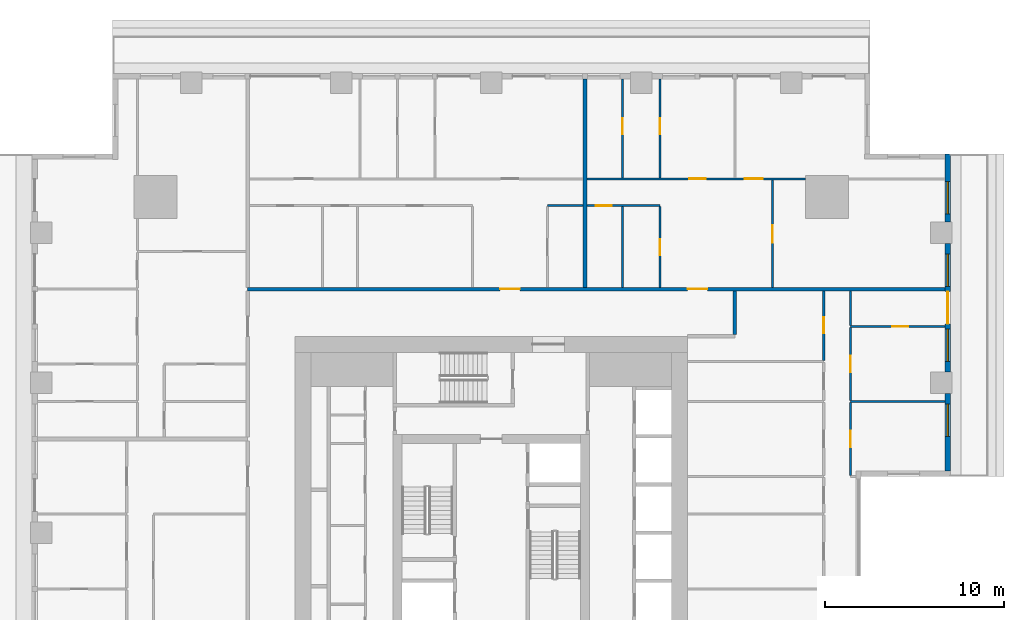
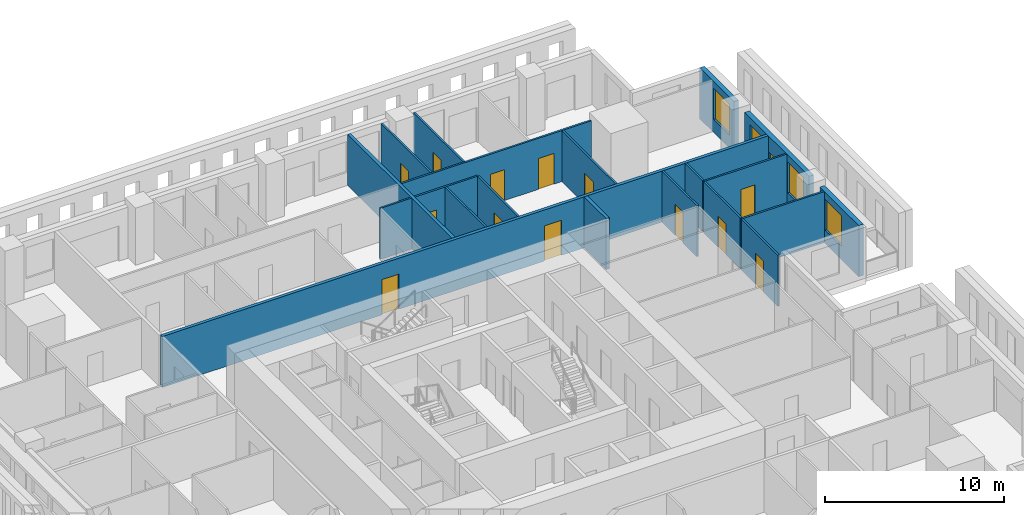
# One storey, part 9 of 16: 20 walls, 14 doors, 4 windows, 18 openings.
"""IFC4 building model written with IfcOpenShell, lengths in metres."""

from ifc_helpers import new_model, si_unit, direction, frame, frame_2d, origin, place, context, subcontext, project, spatial, rectangle, extrude, material, layer, layer_set, type_object, element, fill, save


model = new_model("IFC4")

# Units and contexts
model_context = context("Model", 3, precision=1e-05, world=origin(), true_north=direction((0.0, 1.0)))
body_context = subcontext(model_context, "Body", "Model", "MODEL_VIEW")
ifc_project = project(units=[si_unit("LENGTHUNIT", "METRE"), si_unit("AREAUNIT", "SQUARE_METRE"), si_unit("VOLUMEUNIT", "CUBIC_METRE"), si_unit("PLANEANGLEUNIT", "RADIAN"), si_unit("MASSUNIT", "GRAM", prefix="KILO")], contexts=[model_context])

# Site, building, storey
site_placement = place(None, origin())
site = spatial("IfcSite", under=ifc_project, at=site_placement, CompositionType="ELEMENT")
building_placement = place(site_placement, origin())
building = spatial("IfcBuilding", under=site, at=building_placement, Name="Khepri Terraces", CompositionType="ELEMENT")
storey_placement = place(building_placement, frame((0.0, 0.0, 192.300048828125)))
storey = spatial("IfcBuildingStorey", under=building, at=storey_placement, Name="L45", CompositionType="ELEMENT", Elevation=192.300048828125)

# Wall
ifc_material_1 = material(Name="Fire-rated gypsum plasterboard partition, mineral wool")
ifc_layer_1 = layer(ifc_material_1, 0.199951171875, Name="Fire-rated gypsum plasterboard partition, mineral wool")
ifc_layer_set_1 = layer_set([ifc_layer_1], Name="Fire-rated gypsum plasterboard partition, mineral wool")
wall_type_1 = type_object("IfcWallType", Name="WL-CORR-200", PredefinedType="PARTITIONING", material=ifc_layer_set_1)
wall_1_placement = place(storey_placement, frame((13.64990234375, 11.10009765625, 0.0), z_axis=(0.0, 0.0, 1.0), x_axis=(0.0, 1.0, 0.0)))
element("IfcWall", 1, at=wall_1_placement, inside=storey, type_object=wall_type_1, Name="Partition P-085 L45", PredefinedType="PARTITIONING", context=body_context, shape_type="SweptSolid", body=[
    extrude(rectangle(XDim=2.449951171875, YDim=0.199951171875, at=frame_2d((1.22509765625, 0.0))), origin(), (0.0, 0.0, 1.0), 3.47998046875),
])

# Wall, openings, doors
wall_2_placement = place(storey_placement, frame((-13.64990234375, 13.64990234375, 0.0), z_axis=(0.0, 0.0, 1.0), x_axis=(1.0, 0.0, 0.0)))
wall_2 = element("IfcWall", 2, at=wall_2_placement, inside=storey, type_object=wall_type_1, Name="Partition P-089 L45", PredefinedType="PARTITIONING", context=body_context, shape_type="SweptSolid", body=[
    extrude(rectangle(XDim=39.06982421875, YDim=0.199951171875, at=frame_2d((19.534912109375, 0.0))), origin(), (0.0, 0.0, 1.0), 3.47998046875),
])
opening_1_placement = place(wall_2_placement, frame((24.64990234375, 0.0, 0.0)))
opening_1 = element("IfcOpeningElement", 3, at=opening_1_placement, cuts=wall_2, Name="Opening D1", PredefinedType="OPENING", context=body_context, shape_type="SweptSolid", body=[
    extrude(rectangle(XDim=1.10009765625, YDim=2.39990234375, at=frame_2d((0.550048828125, 1.199951171875))), frame((0.0, 0.10986328125, 0.0), z_axis=(0.0, -1.0, 0.0), x_axis=(1.0, 0.0, 0.0)), (0.0, 0.0, 1.0), 0.219970703125),
])
opening_2_placement = place(wall_2_placement, frame((14.14990234375, 0.0, 0.0)))
opening_2 = element("IfcOpeningElement", 4, at=opening_2_placement, cuts=wall_2, Name="Opening D1", PredefinedType="OPENING", context=body_context, shape_type="SweptSolid", body=[
    extrude(rectangle(XDim=1.10009765625, YDim=2.39990234375, at=frame_2d((0.550048828125, 1.199951171875))), frame((0.0, 0.10986328125, 0.0), z_axis=(0.0, -1.0, 0.0), x_axis=(1.0, 0.0, 0.0)), (0.0, 0.0, 1.0), 0.219970703125),
])
ifc_material_2 = material(Name="Solid-core timber door leaf, flat entrance door", Category="wood")
door_type_1 = type_object("IfcDoorType", Name="DR-ENT-1100", OperationType="NOTDEFINED", PredefinedType="DOOR", material=ifc_material_2)
door_1_placement = place(opening_1_placement, origin())
door_1 = element("IfcDoor", 5, at=door_1_placement, inside=storey, type_object=door_type_1, Name="Flat C1 entrance door", OperationType="SINGLE_SWING_RIGHT", OverallHeight=2.39990234375, OverallWidth=1.10009765625, PredefinedType="DOOR", context=body_context, shape_type="SweptSolid", body=[
    extrude(rectangle(XDim=1.10009765625, YDim=2.39990234375, at=frame_2d((0.550048828125, 1.199951171875))), frame((0.0, 0.02490234375, 0.0), z_axis=(0.0, -1.0, 0.0), x_axis=(1.0, 0.0, 0.0)), (0.0, 0.0, 1.0), 0.050048828125),
])
fill(opening_1, door_1)
door_2_placement = place(opening_2_placement, origin())
door_2 = element("IfcDoor", 6, at=door_2_placement, inside=storey, type_object=door_type_1, Name="Flat C2 entrance door", OperationType="SINGLE_SWING_LEFT", OverallHeight=2.39990234375, OverallWidth=1.10009765625, PredefinedType="DOOR", context=body_context, shape_type="SweptSolid", body=[
    extrude(rectangle(XDim=1.10009765625, YDim=2.39990234375, at=frame_2d((0.550048828125, 1.199951171875))), frame((0.0, 0.02490234375, 0.0), z_axis=(0.0, -1.0, 0.0), x_axis=(1.0, 0.0, 0.0)), (0.0, 0.0, 1.0), 0.050048828125),
])
fill(opening_2, door_2)

# Wall
wall_3_placement = place(storey_placement, frame((5.25, 13.75, 0.0), z_axis=(0.0, 0.0, 1.0), x_axis=(0.0, 1.0, 0.0)))
element("IfcWall", 7, at=wall_3_placement, inside=storey, type_object=wall_type_1, Name="Partition P-096 L45", PredefinedType="PARTITIONING", context=body_context, shape_type="SweptSolid", body=[
    extrude(rectangle(XDim=11.669921875, YDim=0.199951171875, at=frame_2d((5.8349609375, 0.0))), origin(), (0.0, 0.0, 1.0), 3.47998046875),
])

# Wall, opening, window
ifc_material_3 = material(Name="Precast concrete C50/60 warm stone", Category="masonry")
ifc_layer_2 = layer(ifc_material_3, 0.300048828125, Name="Precast concrete C50/60 warm stone", Category="masonry")
ifc_layer_set_2 = layer_set([ifc_layer_2], Name="Precast concrete C50/60 warm stone")
wall_type_2 = type_object("IfcWallType", Name="WL-EXT-PRECAST-300", PredefinedType="STANDARD", material=ifc_layer_set_2)
wall_4_placement = place(storey_placement, frame((25.570068359375, 3.449951171875, 0.0), z_axis=(0.0, 0.0, 1.0), x_axis=(0.0, 1.0, 0.0)))
wall_4 = element("IfcWall", 8, at=wall_4_placement, inside=storey, type_object=wall_type_2, Name="External wall L45 E", PredefinedType="STANDARD", context=body_context, shape_type="SweptSolid", body=[
    extrude(rectangle(XDim=4.35009765625, YDim=0.300048828125, at=frame_2d((2.175048828125, 0.0))), origin(), (0.0, 0.0, 1.0), 3.47998046875),
])
opening_3_placement = place(wall_4_placement, frame((1.949951171875, 0.0, 0.89990234375)))
opening_3 = element("IfcOpeningElement", 9, at=opening_3_placement, cuts=wall_4, Name="Opening W1", PredefinedType="OPENING", context=body_context, shape_type="SweptSolid", body=[
    extrude(rectangle(XDim=1.800048828125, YDim=2.10009765625, at=frame_2d((0.89990234375, 1.050048828125))), frame((0.0, 0.16015625, 0.0), z_axis=(0.0, -1.0, 0.0), x_axis=(1.0, 0.0, 0.0)), (0.0, 0.0, 1.0), 0.320068359375),
])
ifc_material_4 = material(Name="Clear glass", Category="glass")
window_type = type_object("IfcWindowType", Name="WIN-RES-1800x2100", PartitioningType="SINGLE_PANEL", PredefinedType="WINDOW", material=ifc_material_4)
window_1_placement = place(opening_3_placement, origin())
window_1 = element("IfcWindow", 10, at=window_1_placement, inside=storey, type_object=window_type, Name="Window L45 E", OverallHeight=2.10009765625, OverallWidth=1.800048828125, PartitioningType="SINGLE_PANEL", PredefinedType="WINDOW", context=body_context, shape_type="SweptSolid", body=[
    extrude(rectangle(XDim=1.800048828125, YDim=2.10009765625, at=frame_2d((0.89990234375, 1.050048828125))), frame((0.0, 0.030029296875, 0.0), z_axis=(0.0, -1.0, 0.0), x_axis=(1.0, 0.0, 0.0)), (0.0, 0.0, 1.0), 0.06005859375),
])
fill(opening_3, window_1)

# Wall, openings, door, windows
wall_5_placement = place(storey_placement, frame((25.570068359375, 9.0, 0.0), z_axis=(0.0, 0.0, 1.0), x_axis=(0.0, 1.0, 0.0)))
wall_5 = element("IfcWall", 11, at=wall_5_placement, inside=storey, type_object=wall_type_2, Name="External wall L45 E", PredefinedType="STANDARD", context=body_context, shape_type="SweptSolid", body=[
    extrude(rectangle(XDim=7.199951171875, YDim=0.300048828125, at=frame_2d((3.60009765625, 0.0))), origin(), (0.0, 0.0, 1.0), 3.47998046875),
])
opening_4_placement = place(wall_5_placement, frame((0.60009765625, 0.0, 0.89990234375)))
opening_4 = element("IfcOpeningElement", 12, at=opening_4_placement, cuts=wall_5, Name="Opening W1", PredefinedType="OPENING", context=body_context, shape_type="SweptSolid", body=[
    extrude(rectangle(XDim=1.800048828125, YDim=2.10009765625, at=frame_2d((0.89990234375, 1.050048828125))), frame((0.0, 0.16015625, 0.0), z_axis=(0.0, -1.0, 0.0), x_axis=(1.0, 0.0, 0.0)), (0.0, 0.0, 1.0), 0.320068359375),
])
opening_5_placement = place(wall_5_placement, frame((2.699951171875, 0.0, 0.0)))
opening_5 = element("IfcOpeningElement", 13, at=opening_5_placement, cuts=wall_5, Name="Opening ED-L45-04", PredefinedType="OPENING", context=body_context, shape_type="SweptSolid", body=[
    extrude(rectangle(XDim=1.800048828125, YDim=2.39990234375, at=frame_2d((0.89990234375, 1.199951171875))), frame((0.0, 0.16015625, 0.0), z_axis=(0.0, -1.0, 0.0), x_axis=(1.0, 0.0, 0.0)), (0.0, 0.0, 1.0), 0.320068359375),
])
opening_6_placement = place(wall_5_placement, frame((4.800048828125, 0.0, 0.89990234375)))
opening_6 = element("IfcOpeningElement", 14, at=opening_6_placement, cuts=wall_5, Name="Opening W1", PredefinedType="OPENING", context=body_context, shape_type="SweptSolid", body=[
    extrude(rectangle(XDim=1.800048828125, YDim=2.10009765625, at=frame_2d((0.89990234375, 1.050048828125))), frame((0.0, 0.16015625, 0.0), z_axis=(0.0, -1.0, 0.0), x_axis=(1.0, 0.0, 0.0)), (0.0, 0.0, 1.0), 0.320068359375),
])
ifc_material_5 = material(Name="Anodised aluminium bronze glazed door", Category="aluminium")
door_type_2 = type_object("IfcDoorType", Name="DR-BAL-SLIDE-1800x2400", OperationType="NOTDEFINED", PredefinedType="DOOR", material=ifc_material_5)
door_3_placement = place(opening_5_placement, origin())
door_3 = element("IfcDoor", 15, at=door_3_placement, inside=storey, type_object=door_type_2, Name="Balcony door L45 E", OperationType="SLIDING_TO_RIGHT", OverallHeight=2.39990234375, OverallWidth=1.800048828125, PredefinedType="DOOR", context=body_context, shape_type="SweptSolid", body=[
    extrude(rectangle(XDim=1.800048828125, YDim=2.39990234375, at=frame_2d((0.89990234375, 1.199951171875))), frame((0.0, 0.02490234375, 0.0), z_axis=(0.0, -1.0, 0.0), x_axis=(1.0, 0.0, 0.0)), (0.0, 0.0, 1.0), 0.050048828125),
])
fill(opening_5, door_3)
window_2_placement = place(opening_4_placement, origin())
window_2 = element("IfcWindow", 16, at=window_2_placement, inside=storey, type_object=window_type, Name="Window L45 E", OverallHeight=2.10009765625, OverallWidth=1.800048828125, PartitioningType="SINGLE_PANEL", PredefinedType="WINDOW", context=body_context, shape_type="SweptSolid", body=[
    extrude(rectangle(XDim=1.800048828125, YDim=2.10009765625, at=frame_2d((0.89990234375, 1.050048828125))), frame((0.0, 0.030029296875, 0.0), z_axis=(0.0, -1.0, 0.0), x_axis=(1.0, 0.0, 0.0)), (0.0, 0.0, 1.0), 0.06005859375),
])
fill(opening_4, window_2)
window_3_placement = place(opening_6_placement, origin())
window_3 = element("IfcWindow", 17, at=window_3_placement, inside=storey, type_object=window_type, Name="Window L45 E", OverallHeight=2.10009765625, OverallWidth=1.800048828125, PartitioningType="SINGLE_PANEL", PredefinedType="WINDOW", context=body_context, shape_type="SweptSolid", body=[
    extrude(rectangle(XDim=1.800048828125, YDim=2.10009765625, at=frame_2d((0.89990234375, 1.050048828125))), frame((0.0, 0.030029296875, 0.0), z_axis=(0.0, -1.0, 0.0), x_axis=(1.0, 0.0, 0.0)), (0.0, 0.0, 1.0), 0.06005859375),
])
fill(opening_6, window_3)

# Wall, opening, window
wall_6_placement = place(storey_placement, frame((25.570068359375, 17.39990234375, 0.0), z_axis=(0.0, 0.0, 1.0), x_axis=(0.0, 1.0, 0.0)))
wall_6 = element("IfcWall", 18, at=wall_6_placement, inside=storey, type_object=wall_type_2, Name="External wall L45 E", PredefinedType="STANDARD", context=body_context, shape_type="SweptSolid", body=[
    extrude(rectangle(XDim=3.820068359375, YDim=0.300048828125, at=frame_2d((1.91015625, 0.0))), origin(), (0.0, 0.0, 1.0), 3.47998046875),
])
opening_7_placement = place(wall_6_placement, frame((0.4599609375, 0.0, 0.89990234375)))
opening_7 = element("IfcOpeningElement", 19, at=opening_7_placement, cuts=wall_6, Name="Opening W1", PredefinedType="OPENING", context=body_context, shape_type="SweptSolid", body=[
    extrude(rectangle(XDim=1.800048828125, YDim=2.10009765625, at=frame_2d((0.89990234375, 1.050048828125))), frame((0.0, 0.16015625, 0.0), z_axis=(0.0, -1.0, 0.0), x_axis=(1.0, 0.0, 0.0)), (0.0, 0.0, 1.0), 0.320068359375),
])
window_4_placement = place(opening_7_placement, origin())
window_4 = element("IfcWindow", 20, at=window_4_placement, inside=storey, type_object=window_type, Name="Window L45 E", OverallHeight=2.10009765625, OverallWidth=1.800048828125, PartitioningType="SINGLE_PANEL", PredefinedType="WINDOW", context=body_context, shape_type="SweptSolid", body=[
    extrude(rectangle(XDim=1.800048828125, YDim=2.10009765625, at=frame_2d((0.89990234375, 1.050048828125))), frame((0.0, 0.030029296875, 0.0), z_axis=(0.0, -1.0, 0.0), x_axis=(1.0, 0.0, 0.0)), (0.0, 0.0, 1.0), 0.06005859375),
])
fill(opening_7, window_4)

# Wall, opening, door
ifc_material_6 = material(Name="Gypsum plasterboard partition")
ifc_layer_3 = layer(ifc_material_6, 0.1201171875, Name="Gypsum plasterboard partition")
ifc_layer_set_3 = layer_set([ifc_layer_3], Name="Gypsum plasterboard partition")
wall_type_3 = type_object("IfcWallType", Name="WL-PART-120", PredefinedType="PARTITIONING", material=ifc_layer_set_3)
wall_7_placement = place(storey_placement, frame((20.1201171875, 3.2099609375, 0.0), z_axis=(0.0, 0.0, 1.0), x_axis=(0.0, 1.0, 0.0)))
wall_7 = element("IfcWall", 21, at=wall_7_placement, inside=storey, type_object=wall_type_3, Name="Partition P-066 L45", PredefinedType="PARTITIONING", context=body_context, shape_type="SweptSolid", body=[
    extrude(rectangle(XDim=4.080078125, YDim=0.1201171875, at=frame_2d((2.0400390625, 0.0))), origin(), (0.0, 0.0, 1.0), 3.47998046875),
])
opening_8_placement = place(wall_7_placement, frame((1.590087890625, 0.0, 0.0)))
opening_8 = element("IfcOpeningElement", 22, at=opening_8_placement, cuts=wall_7, Name="Opening D3", PredefinedType="OPENING", context=body_context, shape_type="SweptSolid", body=[
    extrude(rectangle(XDim=0.89990234375, YDim=2.10009765625, at=frame_2d((0.449951171875, 1.050048828125))), frame((0.0, 0.070068359375, 0.0), z_axis=(0.0, -1.0, 0.0), x_axis=(1.0, 0.0, 0.0)), (0.0, 0.0, 1.0), 0.14013671875),
])
ifc_material_7 = material(Name="Timber door leaf", Category="wood")
door_type_3 = type_object("IfcDoorType", Name="DR-INT-900", OperationType="NOTDEFINED", PredefinedType="DOOR", material=ifc_material_7)
door_4_placement = place(opening_8_placement, frame((0.89990234375, 0.0, 0.0), z_axis=(0.0, 0.0, 1.0), x_axis=(-1.0, 0.0, 0.0)))
door_4 = element("IfcDoor", 23, at=door_4_placement, inside=storey, type_object=door_type_3, Name="Door Study", OperationType="SINGLE_SWING_LEFT", OverallHeight=2.10009765625, OverallWidth=0.89990234375, PredefinedType="DOOR", context=body_context, shape_type="SweptSolid", body=[
    extrude(rectangle(XDim=0.89990234375, YDim=2.10009765625, at=frame_2d((0.449951171875, 1.050048828125))), frame((0.0, 0.02490234375, 0.0), z_axis=(0.0, -1.0, 0.0), x_axis=(1.0, 0.0, 0.0)), (0.0, 0.0, 1.0), 0.050048828125),
])
fill(opening_8, door_4)

# Wall
wall_8_placement = place(storey_placement, frame((20.1201171875, 7.35009765625, 0.0), z_axis=(0.0, 0.0, 1.0), x_axis=(1.0, 0.0, 0.0)))
element("IfcWall", 24, at=wall_8_placement, inside=storey, type_object=wall_type_3, Name="Partition P-074 L45", PredefinedType="PARTITIONING", context=body_context, shape_type="SweptSolid", body=[
    extrude(rectangle(XDim=5.2998046875, YDim=0.1201171875, at=frame_2d((2.64990234375, 0.0))), origin(), (0.0, 0.0, 1.0), 3.47998046875),
])

# Wall, opening, door
wall_9_placement = place(storey_placement, frame((20.1201171875, 7.409912109375, 0.0), z_axis=(0.0, 0.0, 1.0), x_axis=(0.0, 1.0, 0.0)))
wall_9 = element("IfcWall", 25, at=wall_9_placement, inside=storey, type_object=wall_type_3, Name="Partition P-078 L45", PredefinedType="PARTITIONING", context=body_context, shape_type="SweptSolid", body=[
    extrude(rectangle(XDim=4.080078125, YDim=0.1201171875, at=frame_2d((2.0400390625, 0.0))), origin(), (0.0, 0.0, 1.0), 3.47998046875),
])
opening_9_placement = place(wall_9_placement, frame((1.590087890625, 0.0, 0.0)))
opening_9 = element("IfcOpeningElement", 26, at=opening_9_placement, cuts=wall_9, Name="Opening D3", PredefinedType="OPENING", context=body_context, shape_type="SweptSolid", body=[
    extrude(rectangle(XDim=0.89990234375, YDim=2.10009765625, at=frame_2d((0.449951171875, 1.050048828125))), frame((0.0, 0.070068359375, 0.0), z_axis=(0.0, -1.0, 0.0), x_axis=(1.0, 0.0, 0.0)), (0.0, 0.0, 1.0), 0.14013671875),
])
door_5_placement = place(opening_9_placement, frame((0.89990234375, 0.0, 0.0), z_axis=(0.0, 0.0, 1.0), x_axis=(-1.0, 0.0, 0.0)))
door_5 = element("IfcDoor", 27, at=door_5_placement, inside=storey, type_object=door_type_3, Name="Door Bedroom", OperationType="SINGLE_SWING_RIGHT", OverallHeight=2.10009765625, OverallWidth=0.89990234375, PredefinedType="DOOR", context=body_context, shape_type="SweptSolid", body=[
    extrude(rectangle(XDim=0.89990234375, YDim=2.10009765625, at=frame_2d((0.449951171875, 1.050048828125))), frame((0.0, 0.02490234375, 0.0), z_axis=(0.0, -1.0, 0.0), x_axis=(1.0, 0.0, 0.0)), (0.0, 0.0, 1.0), 0.050048828125),
])
fill(opening_9, door_5)

wall_10_placement = place(storey_placement, frame((18.6201171875, 9.659912109375, 0.0), z_axis=(0.0, 0.0, 1.0), x_axis=(0.0, 1.0, 0.0)))
wall_10 = element("IfcWall", 28, at=wall_10_placement, inside=storey, type_object=wall_type_3, Name="Partition P-083 L45", PredefinedType="PARTITIONING", context=body_context, shape_type="SweptSolid", body=[
    extrude(rectangle(XDim=3.89013671875, YDim=0.1201171875, at=frame_2d((1.945068359375, 0.0))), origin(), (0.0, 0.0, 1.0), 3.47998046875),
])
opening_10_placement = place(wall_10_placement, frame((1.514892578125, 0.0, 0.0)))
opening_10 = element("IfcOpeningElement", 29, at=opening_10_placement, cuts=wall_10, Name="Opening D3", PredefinedType="OPENING", context=body_context, shape_type="SweptSolid", body=[
    extrude(rectangle(XDim=0.89990234375, YDim=2.10009765625, at=frame_2d((0.449951171875, 1.050048828125))), frame((0.0, 0.070068359375, 0.0), z_axis=(0.0, -1.0, 0.0), x_axis=(1.0, 0.0, 0.0)), (0.0, 0.0, 1.0), 0.14013671875),
])
door_6_placement = place(opening_10_placement, origin())
door_6 = element("IfcDoor", 30, at=door_6_placement, inside=storey, type_object=door_type_3, Name="Door Library", OperationType="SINGLE_SWING_RIGHT", OverallHeight=2.10009765625, OverallWidth=0.89990234375, PredefinedType="DOOR", context=body_context, shape_type="SweptSolid", body=[
    extrude(rectangle(XDim=0.89990234375, YDim=2.10009765625, at=frame_2d((0.449951171875, 1.050048828125))), frame((0.0, 0.02490234375, 0.0), z_axis=(0.0, -1.0, 0.0), x_axis=(1.0, 0.0, 0.0)), (0.0, 0.0, 1.0), 0.050048828125),
])
fill(opening_10, door_6)

wall_11_placement = place(storey_placement, frame((20.1201171875, 11.550048828125, 0.0), z_axis=(0.0, 0.0, 1.0), x_axis=(1.0, 0.0, 0.0)))
wall_11 = element("IfcWall", 31, at=wall_11_placement, inside=storey, type_object=wall_type_3, Name="Partition P-086 L45", PredefinedType="PARTITIONING", context=body_context, shape_type="SweptSolid", body=[
    extrude(rectangle(XDim=5.2998046875, YDim=0.1201171875, at=frame_2d((2.64990234375, 0.0))), origin(), (0.0, 0.0, 1.0), 3.47998046875),
])
opening_11_placement = place(wall_11_placement, frame((2.35009765625, 0.0, 0.0)))
opening_11 = element("IfcOpeningElement", 32, at=opening_11_placement, cuts=wall_11, Name="Opening D4", PredefinedType="OPENING", context=body_context, shape_type="SweptSolid", body=[
    extrude(rectangle(XDim=0.89990234375, YDim=2.10009765625, at=frame_2d((0.449951171875, 1.050048828125))), frame((0.0, 0.070068359375, 0.0), z_axis=(0.0, -1.0, 0.0), x_axis=(1.0, 0.0, 0.0)), (0.0, 0.0, 1.0), 0.14013671875),
])
ifc_material_8 = material(Name="Timber door leaf, moisture resistant", Category="wood")
door_type_4 = type_object("IfcDoorType", Name="DR-WET-900", OperationType="NOTDEFINED", PredefinedType="DOOR", material=ifc_material_8)
door_7_placement = place(opening_11_placement, origin())
door_7 = element("IfcDoor", 33, at=door_7_placement, inside=storey, type_object=door_type_4, Name="Door Bathroom", OperationType="SINGLE_SWING_RIGHT", OverallHeight=2.10009765625, OverallWidth=0.89990234375, PredefinedType="DOOR", context=body_context, shape_type="SweptSolid", body=[
    extrude(rectangle(XDim=0.89990234375, YDim=2.10009765625, at=frame_2d((0.449951171875, 1.050048828125))), frame((0.0, 0.02490234375, 0.0), z_axis=(0.0, -1.0, 0.0), x_axis=(1.0, 0.0, 0.0)), (0.0, 0.0, 1.0), 0.050048828125),
])
fill(opening_11, door_7)

# Walls
wall_12_placement = place(storey_placement, frame((20.1201171875, 11.610107421875, 0.0), z_axis=(0.0, 0.0, 1.0), x_axis=(0.0, 1.0, 0.0)))
element("IfcWall", 34, at=wall_12_placement, inside=storey, type_object=wall_type_3, Name="Partition P-087 L45", PredefinedType="PARTITIONING", context=body_context, shape_type="SweptSolid", body=[
    extrude(rectangle(XDim=1.93994140625, YDim=0.1201171875, at=frame_2d((0.969970703125, 0.0))), origin(), (0.0, 0.0, 1.0), 3.47998046875),
])
wall_13_placement = place(storey_placement, frame((7.35009765625, 13.75, 0.0), z_axis=(0.0, 0.0, 1.0), x_axis=(0.0, 1.0, 0.0)))
element("IfcWall", 35, at=wall_13_placement, inside=storey, type_object=wall_type_3, Name="Partition P-097 L45", PredefinedType="PARTITIONING", context=body_context, shape_type="SweptSolid", body=[
    extrude(rectangle(XDim=4.510009765625, YDim=0.1201171875, at=frame_2d((2.2548828125, 0.0))), origin(), (0.0, 0.0, 1.0), 3.47998046875),
])

# Wall, opening, door
wall_14_placement = place(storey_placement, frame((9.449951171875, 13.75, 0.0), z_axis=(0.0, 0.0, 1.0), x_axis=(0.0, 1.0, 0.0)))
wall_14 = element("IfcWall", 36, at=wall_14_placement, inside=storey, type_object=wall_type_3, Name="Partition P-098 L45", PredefinedType="PARTITIONING", context=body_context, shape_type="SweptSolid", body=[
    extrude(rectangle(XDim=4.510009765625, YDim=0.1201171875, at=frame_2d((2.2548828125, 0.0))), origin(), (0.0, 0.0, 1.0), 3.47998046875),
])
opening_12_placement = place(wall_14_placement, frame((1.784912109375, 0.0, 0.0)))
opening_12 = element("IfcOpeningElement", 37, at=opening_12_placement, cuts=wall_14, Name="Opening D4", PredefinedType="OPENING", context=body_context, shape_type="SweptSolid", body=[
    extrude(rectangle(XDim=0.89990234375, YDim=2.10009765625, at=frame_2d((0.449951171875, 1.050048828125))), frame((0.0, 0.070068359375, 0.0), z_axis=(0.0, -1.0, 0.0), x_axis=(1.0, 0.0, 0.0)), (0.0, 0.0, 1.0), 0.14013671875),
])
door_8_placement = place(opening_12_placement, origin())
door_8 = element("IfcDoor", 38, at=door_8_placement, inside=storey, type_object=door_type_4, Name="Door Guest Bathroom", OperationType="SINGLE_SWING_LEFT", OverallHeight=2.10009765625, OverallWidth=0.89990234375, PredefinedType="DOOR", context=body_context, shape_type="SweptSolid", body=[
    extrude(rectangle(XDim=0.89990234375, YDim=2.10009765625, at=frame_2d((0.449951171875, 1.050048828125))), frame((0.0, 0.02490234375, 0.0), z_axis=(0.0, -1.0, 0.0), x_axis=(1.0, 0.0, 0.0)), (0.0, 0.0, 1.0), 0.050048828125),
])
fill(opening_12, door_8)

wall_15_placement = place(storey_placement, frame((15.75, 13.75, 0.0), z_axis=(0.0, 0.0, 1.0), x_axis=(0.0, 1.0, 0.0)))
wall_15 = element("IfcWall", 39, at=wall_15_placement, inside=storey, type_object=wall_type_3, Name="Partition P-099 L45", PredefinedType="PARTITIONING", context=body_context, shape_type="SweptSolid", body=[
    extrude(rectangle(XDim=6.010009765625, YDim=0.1201171875, at=frame_2d((3.0048828125, 0.0))), origin(), (0.0, 0.0, 1.0), 3.47998046875),
])
opening_13_placement = place(wall_15_placement, frame((2.485107421875, 0.0, 0.0)))
opening_13 = element("IfcOpeningElement", 40, at=opening_13_placement, cuts=wall_15, Name="Opening D2", PredefinedType="OPENING", context=body_context, shape_type="SweptSolid", body=[
    extrude(rectangle(XDim=1.0, YDim=2.10009765625, at=frame_2d((0.5, 1.050048828125))), frame((0.0, 0.070068359375, 0.0), z_axis=(0.0, -1.0, 0.0), x_axis=(1.0, 0.0, 0.0)), (0.0, 0.0, 1.0), 0.14013671875),
])
ifc_material_9 = material(Name="Timber door leaf, living room door", Category="wood")
door_type_5 = type_object("IfcDoorType", Name="DR-INT-1000", OperationType="NOTDEFINED", PredefinedType="DOOR", material=ifc_material_9)
door_9_placement = place(opening_13_placement, frame((1.0, 0.0, 0.0), z_axis=(0.0, 0.0, 1.0), x_axis=(-1.0, 0.0, 0.0)))
door_9 = element("IfcDoor", 41, at=door_9_placement, inside=storey, type_object=door_type_5, Name="Door Family Room", OperationType="SINGLE_SWING_RIGHT", OverallHeight=2.10009765625, OverallWidth=1.0, PredefinedType="DOOR", context=body_context, shape_type="SweptSolid", body=[
    extrude(rectangle(XDim=1.0, YDim=2.10009765625, at=frame_2d((0.5, 1.050048828125))), frame((0.0, 0.02490234375, 0.0), z_axis=(0.0, -1.0, 0.0), x_axis=(1.0, 0.0, 0.0)), (0.0, 0.0, 1.0), 0.050048828125),
])
fill(opening_13, door_9)

# Wall
wall_16_placement = place(storey_placement, frame((3.14990234375, 18.320068359375, 0.0), z_axis=(0.0, 0.0, 1.0), x_axis=(1.0, 0.0, 0.0)))
element("IfcWall", 42, at=wall_16_placement, inside=storey, type_object=wall_type_3, Name="Partition P-103 L45", PredefinedType="PARTITIONING", context=body_context, shape_type="SweptSolid", body=[
    extrude(rectangle(XDim=2.0, YDim=0.1201171875, at=frame_2d((1.0, 0.0))), origin(), (0.0, 0.0, 1.0), 3.47998046875),
])

# Wall, opening, door
wall_17_placement = place(storey_placement, frame((5.35009765625, 18.320068359375, 0.0), z_axis=(0.0, 0.0, 1.0), x_axis=(1.0, 0.0, 0.0)))
wall_17 = element("IfcWall", 43, at=wall_17_placement, inside=storey, type_object=wall_type_3, Name="Partition P-104 L45", PredefinedType="PARTITIONING", context=body_context, shape_type="SweptSolid", body=[
    extrude(rectangle(XDim=4.099853515625, YDim=0.1201171875, at=frame_2d((2.0498046875, 0.0))), origin(), (0.0, 0.0, 1.0), 3.47998046875),
])
opening_14_placement = place(wall_17_placement, frame((0.5, 0.0, 0.0)))
opening_14 = element("IfcOpeningElement", 44, at=opening_14_placement, cuts=wall_17, Name="Opening D3", PredefinedType="OPENING", context=body_context, shape_type="SweptSolid", body=[
    extrude(rectangle(XDim=0.89990234375, YDim=2.10009765625, at=frame_2d((0.449951171875, 1.050048828125))), frame((0.0, 0.070068359375, 0.0), z_axis=(0.0, -1.0, 0.0), x_axis=(1.0, 0.0, 0.0)), (0.0, 0.0, 1.0), 0.14013671875),
])
door_10_placement = place(opening_14_placement, frame((0.89990234375, 0.0, 0.0), z_axis=(0.0, 0.0, 1.0), x_axis=(-1.0, 0.0, 0.0)))
door_10 = element("IfcDoor", 45, at=door_10_placement, inside=storey, type_object=door_type_3, Name="Door Kitchen", OperationType="SINGLE_SWING_RIGHT", OverallHeight=2.10009765625, OverallWidth=0.89990234375, PredefinedType="DOOR", context=body_context, shape_type="SweptSolid", body=[
    extrude(rectangle(XDim=0.89990234375, YDim=2.10009765625, at=frame_2d((0.449951171875, 1.050048828125))), frame((0.0, 0.02490234375, 0.0), z_axis=(0.0, -1.0, 0.0), x_axis=(1.0, 0.0, 0.0)), (0.0, 0.0, 1.0), 0.050048828125),
])
fill(opening_14, door_10)

# Wall, openings, doors
wall_18_placement = place(storey_placement, frame((5.35009765625, 19.820068359375, 0.0), z_axis=(0.0, 0.0, 1.0), x_axis=(1.0, 0.0, 0.0)))
wall_18 = element("IfcWall", 46, at=wall_18_placement, inside=storey, type_object=wall_type_3, Name="Partition P-106 L45", PredefinedType="PARTITIONING", context=body_context, shape_type="SweptSolid", body=[
    extrude(rectangle(XDim=12.25, YDim=0.1201171875, at=frame_2d((6.125, 0.0))), origin(), (0.0, 0.0, 1.0), 3.47998046875),
])
opening_15_placement = place(wall_18_placement, frame((8.85009765625, 0.0, 0.0)))
opening_15 = element("IfcOpeningElement", 47, at=opening_15_placement, cuts=wall_18, Name="Opening D2", PredefinedType="OPENING", context=body_context, shape_type="SweptSolid", body=[
    extrude(rectangle(XDim=1.0, YDim=2.10009765625, at=frame_2d((0.5, 1.050048828125))), frame((0.0, 0.070068359375, 0.0), z_axis=(0.0, -1.0, 0.0), x_axis=(1.0, 0.0, 0.0)), (0.0, 0.0, 1.0), 0.14013671875),
])
opening_16_placement = place(wall_18_placement, frame((5.75, 0.0, 0.0)))
opening_16 = element("IfcOpeningElement", 48, at=opening_16_placement, cuts=wall_18, Name="Opening D3", PredefinedType="OPENING", context=body_context, shape_type="SweptSolid", body=[
    extrude(rectangle(XDim=0.89990234375, YDim=2.10009765625, at=frame_2d((0.449951171875, 1.050048828125))), frame((0.0, 0.070068359375, 0.0), z_axis=(0.0, -1.0, 0.0), x_axis=(1.0, 0.0, 0.0)), (0.0, 0.0, 1.0), 0.14013671875),
])
door_11_placement = place(opening_15_placement, origin())
door_11 = element("IfcDoor", 49, at=door_11_placement, inside=storey, type_object=door_type_5, Name="Door Living Room", OperationType="SINGLE_SWING_RIGHT", OverallHeight=2.10009765625, OverallWidth=1.0, PredefinedType="DOOR", context=body_context, shape_type="SweptSolid", body=[
    extrude(rectangle(XDim=1.0, YDim=2.10009765625, at=frame_2d((0.5, 1.050048828125))), frame((0.0, 0.02490234375, 0.0), z_axis=(0.0, -1.0, 0.0), x_axis=(1.0, 0.0, 0.0)), (0.0, 0.0, 1.0), 0.050048828125),
])
fill(opening_15, door_11)
door_12_placement = place(opening_16_placement, origin())
door_12 = element("IfcDoor", 50, at=door_12_placement, inside=storey, type_object=door_type_3, Name="Door Master Bedroom", OperationType="SINGLE_SWING_RIGHT", OverallHeight=2.10009765625, OverallWidth=0.89990234375, PredefinedType="DOOR", context=body_context, shape_type="SweptSolid", body=[
    extrude(rectangle(XDim=0.89990234375, YDim=2.10009765625, at=frame_2d((0.449951171875, 1.050048828125))), frame((0.0, 0.02490234375, 0.0), z_axis=(0.0, -1.0, 0.0), x_axis=(1.0, 0.0, 0.0)), (0.0, 0.0, 1.0), 0.050048828125),
])
fill(opening_16, door_12)

# Wall, opening, door
wall_19_placement = place(storey_placement, frame((7.35009765625, 19.8798828125, 0.0), z_axis=(0.0, 0.0, 1.0), x_axis=(0.0, 1.0, 0.0)))
wall_19 = element("IfcWall", 51, at=wall_19_placement, inside=storey, type_object=wall_type_3, Name="Partition P-111 L45", PredefinedType="PARTITIONING", context=body_context, shape_type="SweptSolid", body=[
    extrude(rectangle(XDim=5.5400390625, YDim=0.1201171875, at=frame_2d((2.77001953125, 0.0))), origin(), (0.0, 0.0, 1.0), 3.47998046875),
])
opening_17_placement = place(wall_19_placement, frame((2.43994140625, 0.0, 0.0)))
opening_17 = element("IfcOpeningElement", 52, at=opening_17_placement, cuts=wall_19, Name="Opening D4", PredefinedType="OPENING", context=body_context, shape_type="SweptSolid", body=[
    extrude(rectangle(XDim=0.89990234375, YDim=2.10009765625, at=frame_2d((0.449951171875, 1.050048828125))), frame((0.0, 0.070068359375, 0.0), z_axis=(0.0, -1.0, 0.0), x_axis=(1.0, 0.0, 0.0)), (0.0, 0.0, 1.0), 0.14013671875),
])
door_13_placement = place(opening_17_placement, origin())
door_13 = element("IfcDoor", 53, at=door_13_placement, inside=storey, type_object=door_type_4, Name="Door Bathroom", OperationType="SINGLE_SWING_RIGHT", OverallHeight=2.10009765625, OverallWidth=0.89990234375, PredefinedType="DOOR", context=body_context, shape_type="SweptSolid", body=[
    extrude(rectangle(XDim=0.89990234375, YDim=2.10009765625, at=frame_2d((0.449951171875, 1.050048828125))), frame((0.0, 0.02490234375, 0.0), z_axis=(0.0, -1.0, 0.0), x_axis=(1.0, 0.0, 0.0)), (0.0, 0.0, 1.0), 0.050048828125),
])
fill(opening_17, door_13)

wall_20_placement = place(storey_placement, frame((9.449951171875, 19.8798828125, 0.0), z_axis=(0.0, 0.0, 1.0), x_axis=(0.0, 1.0, 0.0)))
wall_20 = element("IfcWall", 54, at=wall_20_placement, inside=storey, type_object=wall_type_3, Name="Partition P-112 L45", PredefinedType="PARTITIONING", context=body_context, shape_type="SweptSolid", body=[
    extrude(rectangle(XDim=5.5400390625, YDim=0.1201171875, at=frame_2d((2.77001953125, 0.0))), origin(), (0.0, 0.0, 1.0), 3.47998046875),
])
opening_18_placement = place(wall_20_placement, frame((2.43994140625, 0.0, 0.0)))
opening_18 = element("IfcOpeningElement", 55, at=opening_18_placement, cuts=wall_20, Name="Opening D3", PredefinedType="OPENING", context=body_context, shape_type="SweptSolid", body=[
    extrude(rectangle(XDim=0.89990234375, YDim=2.10009765625, at=frame_2d((0.449951171875, 1.050048828125))), frame((0.0, 0.070068359375, 0.0), z_axis=(0.0, -1.0, 0.0), x_axis=(1.0, 0.0, 0.0)), (0.0, 0.0, 1.0), 0.14013671875),
])
door_14_placement = place(opening_18_placement, origin())
door_14 = element("IfcDoor", 56, at=door_14_placement, inside=storey, type_object=door_type_3, Name="Door Dressing Room", OperationType="SINGLE_SWING_RIGHT", OverallHeight=2.10009765625, OverallWidth=0.89990234375, PredefinedType="DOOR", context=body_context, shape_type="SweptSolid", body=[
    extrude(rectangle(XDim=0.89990234375, YDim=2.10009765625, at=frame_2d((0.449951171875, 1.050048828125))), frame((0.0, 0.02490234375, 0.0), z_axis=(0.0, -1.0, 0.0), x_axis=(1.0, 0.0, 0.0)), (0.0, 0.0, 1.0), 0.050048828125),
])
fill(opening_18, door_14)

save(model, "model.ifc")
